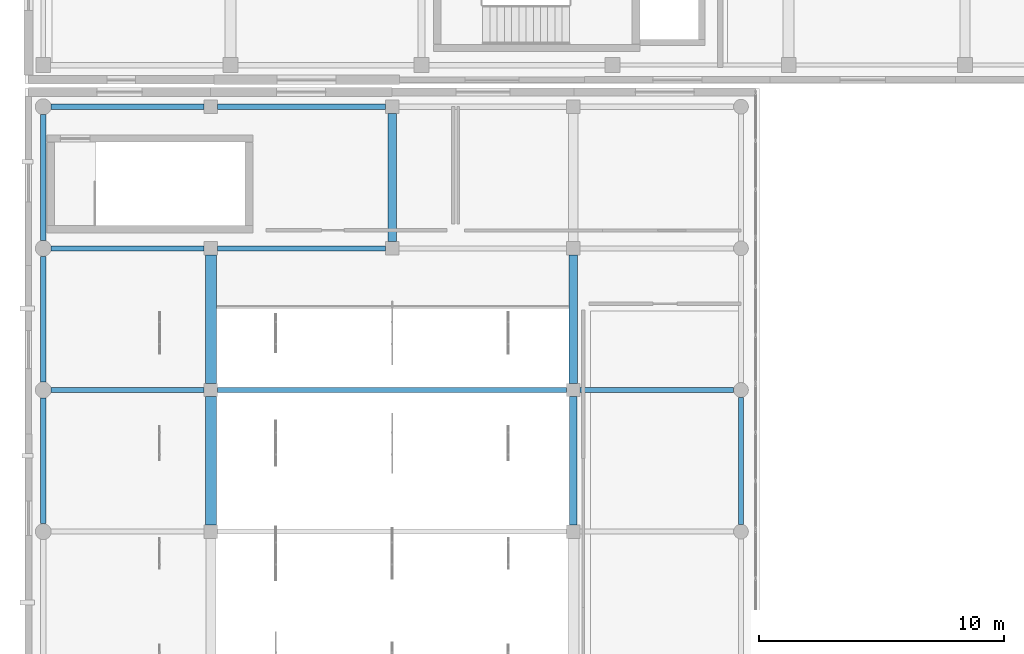
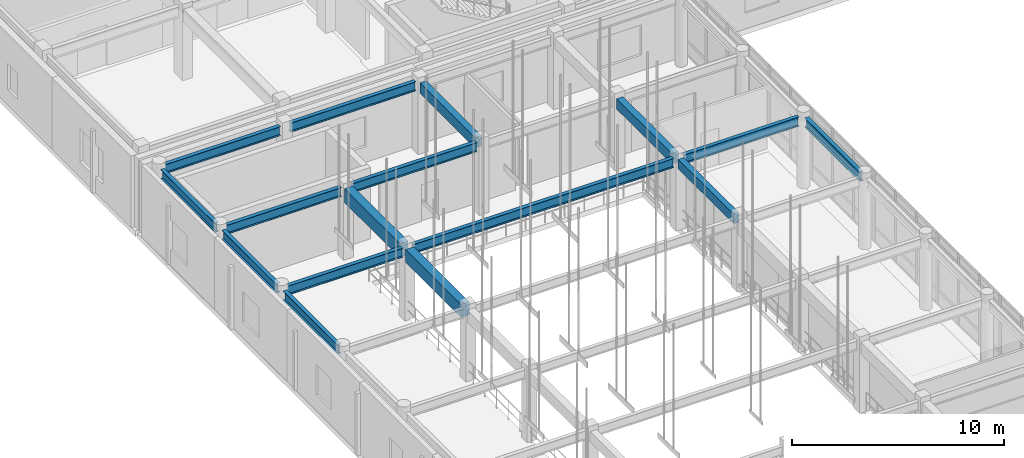
# One storey, part 59 of 142: 16 beams.
"""IFC4 building model written with IfcOpenShell, lengths in metres."""

from ifc_helpers import new_model, si_unit, direction, frame, origin, origin_2d, place, context, subcontext, project, spatial, rectangle, i_section, extrude, material, material_profile, profile_set, type_object, element, save


model = new_model("IFC4")

# Units and contexts
model_context = context("Model", 3, precision=1e-05, world=origin(), true_north=direction((0.0, 1.0)))
body_context = subcontext(model_context, "Body", "Model", "MODEL_VIEW")
ifc_project = project(units=[si_unit("LENGTHUNIT", "METRE"), si_unit("AREAUNIT", "SQUARE_METRE"), si_unit("VOLUMEUNIT", "CUBIC_METRE"), si_unit("PLANEANGLEUNIT", "RADIAN"), si_unit("MASSUNIT", "GRAM", prefix="KILO")], contexts=[model_context])

# Site, building, storey
site_placement = place(None, origin())
site = spatial("IfcSite", under=ifc_project, at=site_placement, CompositionType="ELEMENT")
building_placement = place(site_placement, origin())
building = spatial("IfcBuilding", under=site, at=building_placement, Name="Valcora Specialist Clinic", CompositionType="ELEMENT")
storey_placement = place(building_placement, frame((0.0, 0.0, 5.10009765625)))
storey = spatial("IfcBuildingStorey", under=building, at=storey_placement, Name="L01", CompositionType="ELEMENT", Elevation=5.10009765625)

# Beams
ifc_material_1 = material(Name="Steel ASTM A992 Grade 50", Category="steel")
ifc_material_profile_1 = material_profile(ifc_material_1, i_section(OverallWidth=0.208984375, OverallDepth=0.532958984375, WebThickness=0.010009765625, FlangeThickness=0.01611328125, at=origin_2d()), Name="ST-IR-530X210")
ifc_profile_set_1 = profile_set([ifc_material_profile_1], Name="Steel ASTM A992 Grade 50")
beam_type_1 = type_object("IfcBeamType", Name="TY-BM-IR530", PredefinedType="SPANDREL", material=ifc_profile_set_1)
beam_1_placement = place(storey_placement, frame((1.074951171875, 67.678955078125, 3.849365234375), z_axis=(1.0, 0.0, 0.0), x_axis=(0.0, 1.0, 0.0)))
element("IfcBeam", 1, at=beam_1_placement, inside=storey, type_object=beam_type_1, Name="Beam BM-L01-0150", PredefinedType="SPANDREL", context=body_context, shape_type="SweptSolid", body=[
    extrude(i_section(OverallWidth=0.208984375, OverallDepth=0.532958984375, WebThickness=0.010009765625, FlangeThickness=0.01611328125, at=origin_2d()), origin(), (0.0, 0.0, 1.0), 6.25),
])
beam_2_placement = place(storey_placement, frame((7.875, 67.678955078125, 3.849365234375), z_axis=(1.0, 0.0, 0.0), x_axis=(0.0, 1.0, 0.0)))
element("IfcBeam", 2, at=beam_2_placement, inside=storey, type_object=beam_type_1, Name="Beam BM-L01-0151", PredefinedType="SPANDREL", context=body_context, shape_type="SweptSolid", body=[
    extrude(i_section(OverallWidth=0.208984375, OverallDepth=0.532958984375, WebThickness=0.010009765625, FlangeThickness=0.01611328125, at=origin_2d()), origin(), (0.0, 0.0, 1.0), 14.25),
])
beam_3_placement = place(storey_placement, frame((22.675048828125, 67.678955078125, 3.849365234375), z_axis=(1.0, 0.0, 0.0), x_axis=(0.0, 1.0, 0.0)))
element("IfcBeam", 3, at=beam_3_placement, inside=storey, type_object=beam_type_1, Name="Beam BM-L01-0152", PredefinedType="SPANDREL", context=body_context, shape_type="SweptSolid", body=[
    extrude(i_section(OverallWidth=0.208984375, OverallDepth=0.532958984375, WebThickness=0.010009765625, FlangeThickness=0.01611328125, at=origin_2d()), origin(), (0.0, 0.0, 1.0), 6.27490234375),
])
beam_4_placement = place(storey_placement, frame((1.074951171875, 73.464111328125, 3.849365234375), z_axis=(1.0, 0.0, 0.0), x_axis=(0.0, 1.0, 0.0)))
element("IfcBeam", 4, at=beam_4_placement, inside=storey, type_object=beam_type_1, Name="Beam BM-L01-0153", PredefinedType="SPANDREL", context=body_context, shape_type="SweptSolid", body=[
    extrude(i_section(OverallWidth=0.208984375, OverallDepth=0.532958984375, WebThickness=0.010009765625, FlangeThickness=0.01611328125, at=origin_2d()), origin(), (0.0, 0.0, 1.0), 6.25),
])
beam_5_placement = place(storey_placement, frame((7.875, 73.464111328125, 3.849365234375), z_axis=(1.0, 0.0, 0.0), x_axis=(0.0, 1.0, 0.0)))
element("IfcBeam", 5, at=beam_5_placement, inside=storey, type_object=beam_type_1, Name="Beam BM-L01-0154", PredefinedType="SPANDREL", context=body_context, shape_type="SweptSolid", body=[
    extrude(i_section(OverallWidth=0.208984375, OverallDepth=0.532958984375, WebThickness=0.010009765625, FlangeThickness=0.01611328125, at=origin_2d()), origin(), (0.0, 0.0, 1.0), 6.85009765625),
])
beam_6_placement = place(storey_placement, frame((1.074951171875, 79.25, 3.849365234375), z_axis=(1.0, 0.0, 0.0), x_axis=(0.0, 1.0, 0.0)))
element("IfcBeam", 6, at=beam_6_placement, inside=storey, type_object=beam_type_1, Name="Beam BM-L01-0157", PredefinedType="SPANDREL", context=body_context, shape_type="SweptSolid", body=[
    extrude(i_section(OverallWidth=0.208984375, OverallDepth=0.532958984375, WebThickness=0.010009765625, FlangeThickness=0.01611328125, at=origin_2d()), origin(), (0.0, 0.0, 1.0), 6.25),
])
beam_7_placement = place(storey_placement, frame((7.875, 79.25, 3.849365234375), z_axis=(1.0, 0.0, 0.0), x_axis=(0.0, 1.0, 0.0)))
element("IfcBeam", 7, at=beam_7_placement, inside=storey, type_object=beam_type_1, Name="Beam BM-L01-0158", PredefinedType="SPANDREL", context=body_context, shape_type="SweptSolid", body=[
    extrude(i_section(OverallWidth=0.208984375, OverallDepth=0.532958984375, WebThickness=0.010009765625, FlangeThickness=0.01611328125, at=origin_2d()), origin(), (0.0, 0.0, 1.0), 6.85009765625),
])
beam_8_placement = place(storey_placement, frame((0.75, 62.218017578125, 3.849365234375), z_axis=(0.0, 1.0, 0.0), x_axis=(-1.0, 0.0, 0.0)))
element("IfcBeam", 8, at=beam_8_placement, inside=storey, type_object=beam_type_1, Name="Beam BM-L01-0165", PredefinedType="SPANDREL", context=body_context, shape_type="SweptSolid", body=[
    extrude(i_section(OverallWidth=0.208984375, OverallDepth=0.532958984375, WebThickness=0.010009765625, FlangeThickness=0.01611328125, at=origin_2d()), origin(), (0.0, 0.0, 1.0), 5.135986328125),
])
beam_9_placement = place(storey_placement, frame((0.75, 68.00390625, 3.849365234375), z_axis=(0.0, 1.0, 0.0), x_axis=(-1.0, 0.0, 0.0)))
element("IfcBeam", 9, at=beam_9_placement, inside=storey, type_object=beam_type_1, Name="Beam BM-L01-0166", PredefinedType="SPANDREL", context=body_context, shape_type="SweptSolid", body=[
    extrude(i_section(OverallWidth=0.208984375, OverallDepth=0.532958984375, WebThickness=0.010009765625, FlangeThickness=0.01611328125, at=origin_2d()), origin(), (0.0, 0.0, 1.0), 5.135009765625),
])
beam_10_placement = place(storey_placement, frame((0.75, 73.7890625, 3.849365234375), z_axis=(0.0, 1.0, 0.0), x_axis=(-1.0, 0.0, 0.0)))
element("IfcBeam", 10, at=beam_10_placement, inside=storey, type_object=beam_type_1, Name="Beam BM-L01-0167", PredefinedType="SPANDREL", context=body_context, shape_type="SweptSolid", body=[
    extrude(i_section(OverallWidth=0.208984375, OverallDepth=0.532958984375, WebThickness=0.010009765625, FlangeThickness=0.01611328125, at=origin_2d()), origin(), (0.0, 0.0, 1.0), 5.135986328125),
])
beam_11_placement = place(storey_placement, frame((29.25, 62.193115234375, 3.849365234375), z_axis=(0.0, 1.0, 0.0), x_axis=(-1.0, 0.0, 0.0)))
element("IfcBeam", 11, at=beam_11_placement, inside=storey, type_object=beam_type_1, Name="Beam BM-L01-0186", PredefinedType="SPANDREL", context=body_context, shape_type="SweptSolid", body=[
    extrude(i_section(OverallWidth=0.208984375, OverallDepth=0.532958984375, WebThickness=0.010009765625, FlangeThickness=0.01611328125, at=origin_2d()), origin(), (0.0, 0.0, 1.0), 5.185791015625),
])
ifc_material_2 = material(Name="Concrete C40/50", Category="concrete")
ifc_material_profile_2 = material_profile(ifc_material_2, rectangle(XDim=0.300048828125, YDim=0.550048828125, at=origin_2d()), Name="RC-BM-300X550")
ifc_profile_set_2 = profile_set([ifc_material_profile_2], Name="Concrete C40/50")
beam_type_2 = type_object("IfcBeamType", Name="TY-BM-RC300X550", PredefinedType="BEAM", material=ifc_profile_set_2)
beam_12_placement = place(storey_placement, frame((22.39990234375, 62.16796875, 3.844970703125), z_axis=(0.0, 1.0, 0.0), x_axis=(-1.0, 0.0, 0.0)))
element("IfcBeam", 12, at=beam_12_placement, inside=storey, type_object=beam_type_2, Name="Beam BM-L01-0179", PredefinedType="BEAM", context=body_context, shape_type="SweptSolid", body=[
    extrude(rectangle(XDim=0.300048828125, YDim=0.550048828125, at=origin_2d()), origin(), (0.0, 0.0, 1.0), 5.236083984375),
])
ifc_material_profile_3 = material_profile(ifc_material_2, rectangle(XDim=0.35009765625, YDim=0.60009765625, at=origin_2d()), Name="RC-BM-350X600")
ifc_profile_set_3 = profile_set([ifc_material_profile_3], Name="Concrete C40/50")
beam_type_3 = type_object("IfcBeamType", Name="TY-BM-RC350X600", PredefinedType="BEAM", material=ifc_profile_set_3)
beam_13_placement = place(storey_placement, frame((15.0, 73.739013671875, 3.81982421875), z_axis=(0.0, 1.0, 0.0), x_axis=(-1.0, 0.0, 0.0)))
element("IfcBeam", 13, at=beam_13_placement, inside=storey, type_object=beam_type_3, Name="Beam BM-L01-0174", PredefinedType="BEAM", context=body_context, shape_type="SweptSolid", body=[
    extrude(rectangle(XDim=0.35009765625, YDim=0.60009765625, at=origin_2d()), origin(), (0.0, 0.0, 1.0), 5.236083984375),
])
beam_14_placement = place(storey_placement, frame((22.39990234375, 67.9541015625, 3.81982421875), z_axis=(0.0, 1.0, 0.0), x_axis=(-1.0, 0.0, 0.0)))
element("IfcBeam", 14, at=beam_14_placement, inside=storey, type_object=beam_type_3, Name="Beam BM-L01-0180", PredefinedType="BEAM", context=body_context, shape_type="SweptSolid", body=[
    extrude(rectangle(XDim=0.35009765625, YDim=0.60009765625, at=origin_2d()), origin(), (0.0, 0.0, 1.0), 5.23486328125),
])
ifc_material_profile_4 = material_profile(ifc_material_2, rectangle(XDim=0.449951171875, YDim=0.75, at=origin_2d()), Name="RC-BM-450X750")
ifc_profile_set_4 = profile_set([ifc_material_profile_4], Name="Concrete C40/50")
beam_type_4 = type_object("IfcBeamType", Name="TY-BM-RC450X750", PredefinedType="BEAM", material=ifc_profile_set_4)
beam_15_placement = place(storey_placement, frame((7.60009765625, 62.16796875, 3.744873046875), z_axis=(0.0, 1.0, 0.0), x_axis=(-1.0, 0.0, 0.0)))
element("IfcBeam", 15, at=beam_15_placement, inside=storey, type_object=beam_type_4, Name="Beam BM-L01-0171", PredefinedType="BEAM", context=body_context, shape_type="SweptSolid", body=[
    extrude(rectangle(XDim=0.449951171875, YDim=0.75, at=origin_2d()), origin(), (0.0, 0.0, 1.0), 5.236083984375),
])
ifc_material_profile_5 = material_profile(ifc_material_2, rectangle(XDim=0.449951171875, YDim=0.800048828125, at=origin_2d()), Name="RC-BM-450X800")
ifc_profile_set_5 = profile_set([ifc_material_profile_5], Name="Concrete C40/50")
beam_type_5 = type_object("IfcBeamType", Name="TY-BM-RC450X800", PredefinedType="BEAM", material=ifc_profile_set_5)
beam_16_placement = place(storey_placement, frame((7.60009765625, 67.9541015625, 3.719970703125), z_axis=(0.0, 1.0, 0.0), x_axis=(-1.0, 0.0, 0.0)))
element("IfcBeam", 16, at=beam_16_placement, inside=storey, type_object=beam_type_5, Name="Beam BM-L01-0172", PredefinedType="BEAM", context=body_context, shape_type="SweptSolid", body=[
    extrude(rectangle(XDim=0.449951171875, YDim=0.800048828125, at=origin_2d()), origin(), (0.0, 0.0, 1.0), 5.23486328125),
])

save(model, "model.ifc")
